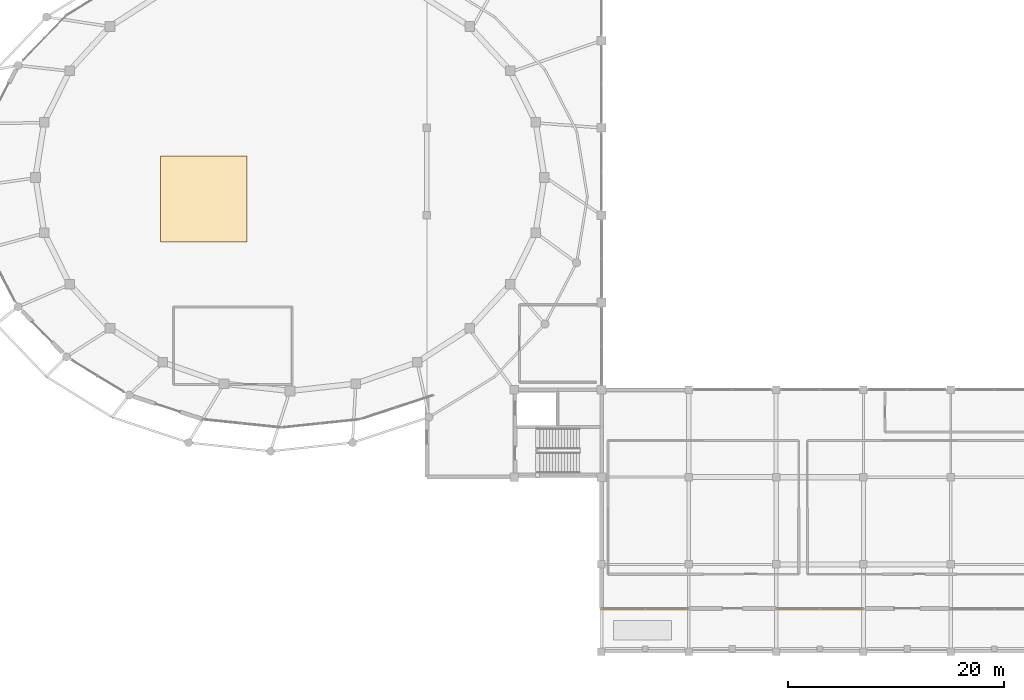
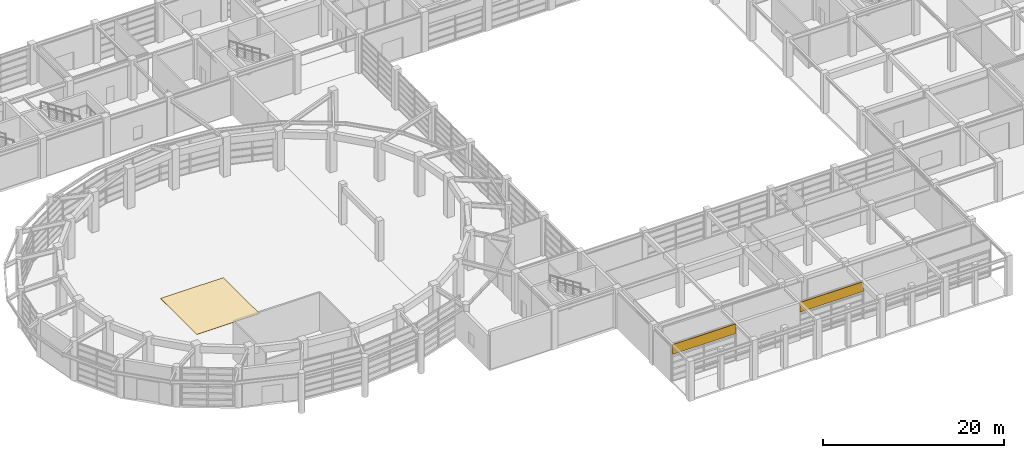
# One storey, part 45 of 52: 2 shading devices, 1 covering.
"""IFC4 building model written with IfcOpenShell, lengths in metres."""

from ifc_helpers import new_model, si_unit, direction, frame, origin, origin_2d, place, context, subcontext, project, spatial, rectangle, extrude, material, layer, layer_set, type_object, element, save


model = new_model("IFC4")

# Units and contexts
model_context = context("Model", 3, precision=1e-05, world=origin(), true_north=direction((0.0, 1.0)))
body_context = subcontext(model_context, "Body", "Model", "MODEL_VIEW")
ifc_project = project(units=[si_unit("LENGTHUNIT", "METRE"), si_unit("AREAUNIT", "SQUARE_METRE"), si_unit("VOLUMEUNIT", "CUBIC_METRE"), si_unit("PLANEANGLEUNIT", "RADIAN"), si_unit("MASSUNIT", "GRAM", prefix="KILO")], contexts=[model_context])

# Site, building, storey
site_placement = place(None, origin())
site = spatial("IfcSite", under=ifc_project, at=site_placement, CompositionType="ELEMENT")
building_placement = place(site_placement, origin())
building = spatial("IfcBuilding", under=site, at=building_placement, Name="Parian Resonance Hall", CompositionType="ELEMENT")
storey_placement = place(building_placement, origin())
storey = spatial("IfcBuildingStorey", under=building, at=storey_placement, Name="L00", CompositionType="ELEMENT", Elevation=0.0)

# Covering
ifc_material_1 = material(Name="Cebu marble-chip lime terrazzo flooring", Category="masonry")
ifc_layer_1 = layer(ifc_material_1, 0.030029296875)
ifc_layer_set_1 = layer_set([ifc_layer_1], Name="Cebu marble-chip lime terrazzo flooring")
covering_type = type_object("IfcCoveringType", Name="COV-FLOOR-TERRAZZO", PredefinedType="FLOORING", material=ifc_layer_set_1)
covering_placement = place(storey_placement, frame((36.0, 42.0, 0.0), z_axis=(0.0, 0.0, 1.0), x_axis=(1.0, 0.0, 0.0)))
element("IfcCovering", 1, at=covering_placement, inside=storey, type_object=covering_type, Name="Grand Entrance Foyer terrazzo flooring", PredefinedType="FLOORING", context=body_context, shape_type="SweptSolid", body=[
    extrude(rectangle(XDim=8.0, YDim=8.0, at=origin_2d()), origin(), (0.0, 0.0, 1.0), 0.030029296875),
])

# Shading devices
ifc_material_2 = material(Name="Patinated bronze persiana louver")
ifc_layer_2 = layer(ifc_material_2, 0.080078125)
ifc_layer_set_2 = layer_set([ifc_layer_2], Name="Patinated bronze persiana louver")
shading_device_type = type_object("IfcShadingDeviceType", Name="SHD-PERSIANA-JAL", PredefinedType="JALOUSIE", material=ifc_layer_set_2)
for number, where, z_axis, x_axis, name in (
    (2, (76.949951171875, 3.9326171875, 3.7001953125), (0.0, 0.0, 1.0), (-1.0, 0.0, 0.0), "Bronze persiana storm jalousie L00-019"),
    (3, (93.14990234375, 3.927490234375, 3.7001953125), (0.0, 0.0, 1.0), (-1.0, 0.0, 0.0), "Bronze persiana storm jalousie L00-025"),
):
    element("IfcShadingDevice", number, at=place(storey_placement, frame(where, z_axis=z_axis, x_axis=x_axis)), inside=storey, type_object=shading_device_type, Name=name, PredefinedType="JALOUSIE", context=body_context, shape_type="SweptSolid", body=[
        extrude(rectangle(XDim=8.10009765625, YDim=0.080078125, at=origin_2d()), origin(), (0.0, 0.0, 1.0), 1.300048828125),
    ])

save(model, "model.ifc")
